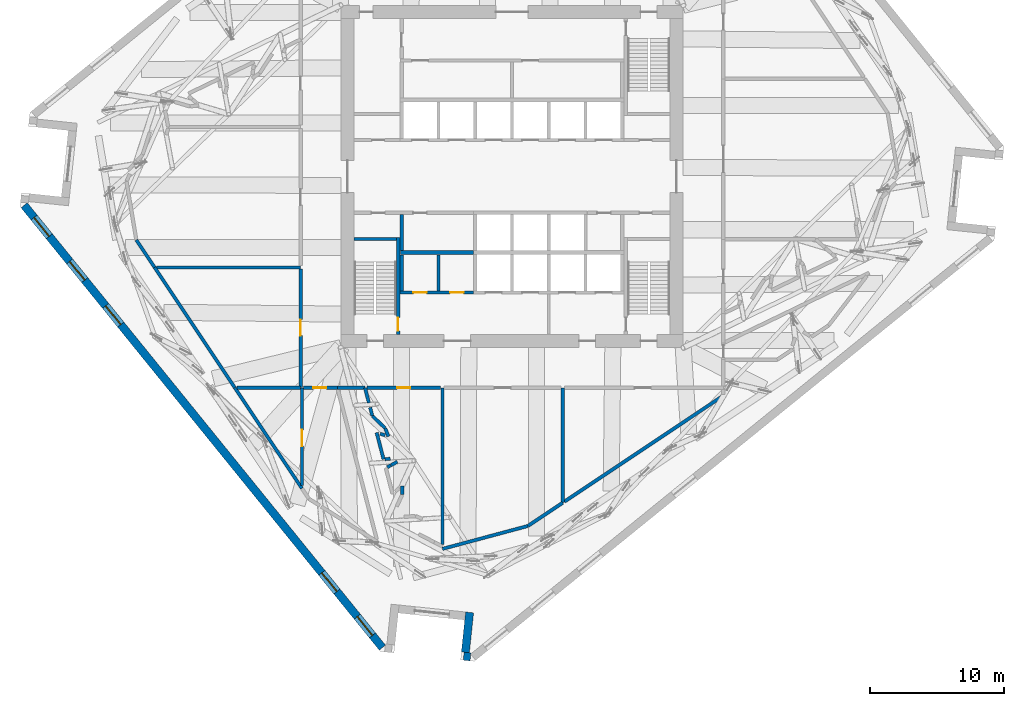
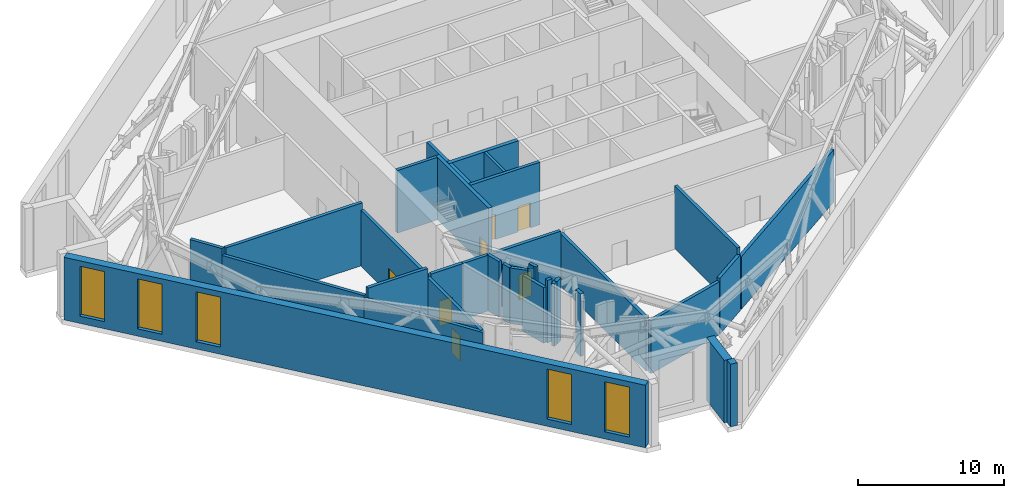
# One storey, part 7 of 17: 35 walls, 7 doors, 5 windows, 12 openings.
"""IFC4 building model written with IfcOpenShell, lengths in metres."""

import ifcopenshell
import ifcopenshell.guid

model = None  # the IFC model being written
_history = None  # IfcOwnerHistory: only IFC2X3 demands one
_inside = {}  # id of a spatial element -> (the spatial element, [elements in it])
_under = {}  # id of a project, library or spatial element -> (it, [spatial elements below it])
_declared = {}  # id of a project -> (the project, [libraries it declares])
_typed = {}  # id of a type object -> (the type object, [elements of that type])
_made_of = {}  # id of a material, layer set ... -> (it, [elements and type objects made of it])


def new_model(schema):
    """Start an empty IFC model of exactly this schema.

    Asked for "IFC4X3", IfcOpenShell would pick the latest addendum, in which some entities
    have other attributes; the version numbers below select the first issue.
    IFC2X3 requires an IfcOwnerHistory on every rooted entity: one is made here for all.
    """
    global model, _history
    if schema == "IFC4X3":
        model = ifcopenshell.file(schema_version=(4, 3, 0, 0))
    else:
        model = ifcopenshell.file(schema=schema)
    _inside.clear()
    _under.clear()
    _declared.clear()
    _typed.clear()
    _made_of.clear()
    _history = None
    if model.schema == "IFC2X3":
        org = make("IfcOrganization", Name="unknown")
        user = make(
            "IfcPersonAndOrganization",
            ThePerson=make("IfcPerson", FamilyName="unknown"),
            TheOrganization=org,
        )
        app = make(
            "IfcApplication",
            ApplicationDeveloper=org,
            Version="unknown",
            ApplicationFullName="unknown",
            ApplicationIdentifier="unknown",
        )
        _history = make(
            "IfcOwnerHistory",
            OwningUser=user,
            OwningApplication=app,
            ChangeAction="ADDED",
            CreationDate=0,
        )
    return model


def make(cls, **values):
    """One entity of the class cls with the attributes given. An attribute that is None is left unset."""
    return model.create_entity(
        cls, **{name: value for name, value in values.items() if value is not None}
    )


def rooted(cls, **values):
    """An entity with a GlobalId (a new one), such as an element, a storey or a relation."""
    return make(cls, GlobalId=ifcopenshell.guid.new(), OwnerHistory=_history, **values)


def si_unit(unit_type, name, prefix=None):
    """IfcSIUnit, for example si_unit("LENGTHUNIT", "METRE", prefix="MILLI")."""
    return make("IfcSIUnit", UnitType=unit_type, Prefix=prefix, Name=name)


def assignment(units):
    """IfcUnitAssignment: the units of a project."""
    return None if units is None else make("IfcUnitAssignment", Units=units)


def point(xyz):
    """IfcCartesianPoint."""
    return None if xyz is None else make("IfcCartesianPoint", Coordinates=xyz)


def direction(xyz):
    """IfcDirection."""
    return None if xyz is None else make("IfcDirection", DirectionRatios=xyz)


def frame(location, z_axis=None, x_axis=None):
    """IfcAxis2Placement3D, a coordinate frame: its origin and axes. An axis left out is left unset."""
    return make(
        "IfcAxis2Placement3D",
        Location=point(location),
        Axis=direction(z_axis),
        RefDirection=direction(x_axis),
    )


def frame_2d(location, x_axis=None):
    """IfcAxis2Placement2D, a coordinate frame in the plane: its origin and x axis."""
    return make(
        "IfcAxis2Placement2D", Location=point(location), RefDirection=direction(x_axis)
    )


def origin():
    """The frame at (0, 0, 0) with its axes left unset."""
    return frame((0.0, 0.0, 0.0))


def place(relative_to, where):
    """IfcLocalPlacement: puts the frame where relative to a parent placement (None: the world)."""
    return make(
        "IfcLocalPlacement", PlacementRelTo=relative_to, RelativePlacement=where
    )


def context(
    kind, dimensions, precision=None, world=None, true_north=None, identifier=None
):
    """IfcGeometricRepresentationContext, for example the 3D "Model" context."""
    return make(
        "IfcGeometricRepresentationContext",
        ContextIdentifier=identifier,
        ContextType=kind,
        CoordinateSpaceDimension=dimensions,
        Precision=precision,
        WorldCoordinateSystem=world,
        TrueNorth=true_north,
    )


def subcontext(parent, identifier, kind, view, scale=None):
    """IfcGeometricRepresentationSubContext, for example "Body" below "Model"."""
    return make(
        "IfcGeometricRepresentationSubContext",
        ContextIdentifier=identifier,
        ContextType=kind,
        ParentContext=parent,
        TargetScale=scale,
        TargetView=view,
    )


def project(units=None, contexts=None):
    """IfcProject with its units and contexts."""
    return rooted(
        "IfcProject",
        Name="project",
        RepresentationContexts=contexts,
        UnitsInContext=assignment(units),
    )


def spatial(cls, under=None, at=None, **own):
    """A site, building, storey or space (cls), placed at a placement, below another one or the project."""
    s = rooted(cls, ObjectPlacement=at, **own)
    if under is not None:
        _under.setdefault(under.id(), (under, []))[1].append(s)
    return s


def profile(cls, at=None, kind="AREA", **sizes):
    """A parametric profile (cls). Its sizes go by their IFC names, for example OverallWidth=200.0."""
    return make(cls, ProfileType=kind, Position=at, **sizes)


def rectangle(**sizes):
    """IfcRectangleProfileDef."""
    return profile("IfcRectangleProfileDef", **sizes)


def extrude(swept, where, along, depth):
    """IfcExtrudedAreaSolid: the profile swept, set in the frame where, extruded along a direction by depth."""
    return make(
        "IfcExtrudedAreaSolid",
        SweptArea=swept,
        Position=where,
        ExtrudedDirection=direction(along),
        Depth=depth,
    )


def shape(context_of_items, identifier, shape_type, items):
    """IfcShapeRepresentation: the items that make up one representation, for example the "Body"."""
    return make(
        "IfcShapeRepresentation",
        ContextOfItems=context_of_items,
        RepresentationIdentifier=identifier,
        RepresentationType=shape_type,
        Items=items,
    )


def material(Name=None, Category=None):
    """IfcMaterial."""
    return make("IfcMaterial", Name=Name, Category=Category)


def layer(
    of_material, thickness, ventilated=None, Name=None, Category=None, Priority=None
):
    """IfcMaterialLayer: one layer of a wall or slab, of a material (None: an air gap)."""
    return make(
        "IfcMaterialLayer",
        Material=of_material,
        LayerThickness=thickness,
        IsVentilated=ventilated,
        Name=Name,
        Category=Category,
        Priority=Priority,
    )


def layer_set(layers, Name=None):
    """IfcMaterialLayerSet."""
    return make("IfcMaterialLayerSet", MaterialLayers=layers, LayerSetName=Name)


def made_of(thing, what):
    """Note that an element or type object is made of a material, layer set ...; save() writes the relation."""
    if what is not None:
        _made_of.setdefault(what.id(), (what, []))[1].append(thing)
    return thing


def type_object(cls, material=None, **own):
    """A type object (cls), such as IfcWallType, which elements share."""
    return made_of(rooted(cls, **own), material)


def element(
    cls,
    number,
    at=None,
    inside=None,
    cuts=None,
    type_object=None,
    material=None,
    context=None,
    identifier="Body",
    shape_type=None,
    held_by="IfcProductDefinitionShape",
    body=None,
    shapes=None,
    **own,
):
    """One element of the class cls, such as IfcWall. Its Tag is "e" and its number.

    at: its placement. inside: the storey or other place that contains it. cuts: it is an
    opening in that element (IfcRelVoidsElement). A single representation is given by context,
    identifier, shape_type and body (its items); several are given by shapes. held_by: the class
    of the entity that holds the representations. save() writes the other relations.
    """
    e = rooted(cls, Tag="e%d" % number, ObjectPlacement=at, **own)
    if body is not None:
        shapes = [shape(context, identifier, shape_type, body)]
    if shapes is not None:
        e.Representation = make(held_by, Representations=shapes)
    if inside is not None:
        _inside.setdefault(inside.id(), (inside, []))[1].append(e)
    if cuts is not None:
        rooted(
            "IfcRelVoidsElement", RelatingBuildingElement=cuts, RelatedOpeningElement=e
        )
    if type_object is not None:
        _typed.setdefault(type_object.id(), (type_object, []))[1].append(e)
    return made_of(e, material)


def fill(opening, filler):
    """IfcRelFillsElement: the door or window that sits in an opening."""
    return rooted(
        "IfcRelFillsElement",
        RelatingOpeningElement=opening,
        RelatedBuildingElement=filler,
    )


def aggregate(whole, parts):
    """IfcRelAggregates: a whole, such as a stair, and the parts it consists of."""
    return rooted("IfcRelAggregates", RelatingObject=whole, RelatedObjects=parts)


def save(model, path):
    """Write the relations noted so far, then the file.

    IfcRelAggregates (storeys below a building ...), IfcRelContainedInSpatialStructure (elements
    in a storey), IfcRelDefinesByType, IfcRelAssociatesMaterial and IfcRelDeclares: one each for
    every whole, place, type object, material and project.
    """
    for whole, parts in _under.values():
        aggregate(whole, parts)
    for where, things in _inside.values():
        rooted(
            "IfcRelContainedInSpatialStructure",
            RelatedElements=things,
            RelatingStructure=where,
        )
    for kind, things in _typed.values():
        rooted("IfcRelDefinesByType", RelatedObjects=things, RelatingType=kind)
    for what, things in _made_of.values():
        rooted("IfcRelAssociatesMaterial", RelatedObjects=things, RelatingMaterial=what)
    for by, libraries in _declared.values():
        rooted("IfcRelDeclares", RelatingContext=by, RelatedDefinitions=libraries)
    model.write(path)


model = new_model("IFC4")

# Units and contexts
model_context = context("Model", 3, precision=1e-05, world=origin(), true_north=direction((0.0, 1.0)))
body_context = subcontext(model_context, "Body", "Model", "MODEL_VIEW")
ifc_project = project(units=[si_unit("LENGTHUNIT", "METRE"), si_unit("AREAUNIT", "SQUARE_METRE"), si_unit("VOLUMEUNIT", "CUBIC_METRE"), si_unit("PLANEANGLEUNIT", "RADIAN"), si_unit("MASSUNIT", "GRAM", prefix="KILO")], contexts=[model_context])

# Site, building, storey
site_placement = place(None, origin())
site = spatial("IfcSite", under=ifc_project, at=site_placement, CompositionType="ELEMENT")
building_placement = place(site_placement, origin())
building = spatial("IfcBuilding", under=site, at=building_placement, Name="Dilmun Exchange Tower", CompositionType="ELEMENT")
storey_placement = place(building_placement, frame((0.0, 0.0, 183.699951171875)))
storey = spatial("IfcBuildingStorey", under=building, at=storey_placement, Name="L43", CompositionType="ELEMENT", Elevation=183.699951171875)

# Wall
ifc_material_1 = material(Name="Concrete C40/50", Category="concrete")
ifc_layer_1 = layer(ifc_material_1, 0.199951171875)
ifc_layer_set_1 = layer_set([ifc_layer_1], Name="Concrete C40/50")
wall_type_1 = type_object("IfcWallType", Name="Core partition wall 200", PredefinedType="PARTITIONING", material=ifc_layer_set_1)
wall_1_placement = place(storey_placement, frame((-5.5, -8.544921875, 0.0), z_axis=(0.0, 0.0, 1.0), x_axis=(0.0, 1.0, 0.0)))
element("IfcWall", 1, at=wall_1_placement, inside=storey, type_object=wall_type_1, Name="L43 core partition wall 04", PredefinedType="PARTITIONING", context=body_context, shape_type="SweptSolid", body=[
    extrude(rectangle(XDim=2.68994140625, YDim=0.199951171875, at=frame_2d((1.344970703125, 0.0))), origin(), (0.0, 0.0, 1.0), 5.219970703125),
])

# Wall, openings, doors
ifc_layer_2 = layer(ifc_material_1, 0.25)
ifc_layer_set_2 = layer_set([ifc_layer_2], Name="Concrete C40/50")
wall_type_2 = type_object("IfcWallType", Name="Core partition wall 250", PredefinedType="PARTITIONING", material=ifc_layer_set_2)
wall_2_placement = place(storey_placement, frame((-8.3701171875, -8.675048828125, 0.0), z_axis=(0.0, 0.0, 1.0), x_axis=(1.0, 0.0, 0.0)))
wall_2 = element("IfcWall", 2, at=wall_2_placement, inside=storey, type_object=wall_type_2, Name="L43 core partition wall 02", PredefinedType="PARTITIONING", context=body_context, shape_type="SweptSolid", body=[
    extrude(rectangle(XDim=5.490234375, YDim=0.25, at=frame_2d((2.7451171875, 0.0))), origin(), (0.0, 0.0, 1.0), 5.219970703125),
])
opening_1_placement = place(wall_2_placement, frame((0.9951171875, 0.0, 0.0)))
opening_1 = element("IfcOpeningElement", 3, at=opening_1_placement, cuts=wall_2, Name="Opening CD4", PredefinedType="OPENING", context=body_context, shape_type="SweptSolid", body=[
    extrude(rectangle(XDim=1.0, YDim=2.10009765625, at=frame_2d((0.5, 1.050048828125))), frame((0.0, 0.135009765625, 0.0), z_axis=(0.0, -1.0, 0.0), x_axis=(1.0, 0.0, 0.0)), (0.0, 0.0, 1.0), 0.27001953125),
])
opening_2_placement = place(wall_2_placement, frame((3.7451171875, 0.0, 0.0)))
opening_2 = element("IfcOpeningElement", 4, at=opening_2_placement, cuts=wall_2, Name="Opening CD4", PredefinedType="OPENING", context=body_context, shape_type="SweptSolid", body=[
    extrude(rectangle(XDim=1.0, YDim=2.10009765625, at=frame_2d((0.5, 1.050048828125))), frame((0.0, 0.135009765625, 0.0), z_axis=(0.0, -1.0, 0.0), x_axis=(1.0, 0.0, 0.0)), (0.0, 0.0, 1.0), 0.27001953125),
])
ifc_material_2 = material(Name="Fire-rated steel door set", Category="steel")
door_type_1 = type_object("IfcDoorType", Name="Core room door 1000x2100", OperationType="SINGLE_SWING_LEFT", PredefinedType="DOOR", material=ifc_material_2)
door_1_placement = place(opening_1_placement, origin())
door_1 = element("IfcDoor", 5, at=door_1_placement, inside=storey, type_object=door_type_1, Name="L43 door Male WC", OperationType="SINGLE_SWING_RIGHT", OverallHeight=2.10009765625, OverallWidth=1.0, PredefinedType="DOOR", context=body_context, shape_type="SweptSolid", body=[
    extrude(rectangle(XDim=1.0, YDim=2.10009765625, at=frame_2d((0.5, 1.050048828125))), frame((0.0, 0.02490234375, 0.0), z_axis=(0.0, -1.0, 0.0), x_axis=(1.0, 0.0, 0.0)), (0.0, 0.0, 1.0), 0.050048828125),
])
fill(opening_1, door_1)
door_2_placement = place(opening_2_placement, origin())
door_2 = element("IfcDoor", 6, at=door_2_placement, inside=storey, type_object=door_type_1, Name="L43 door Female WC", OperationType="SINGLE_SWING_RIGHT", OverallHeight=2.10009765625, OverallWidth=1.0, PredefinedType="DOOR", context=body_context, shape_type="SweptSolid", body=[
    extrude(rectangle(XDim=1.0, YDim=2.10009765625, at=frame_2d((0.5, 1.050048828125))), frame((0.0, 0.02490234375, 0.0), z_axis=(0.0, -1.0, 0.0), x_axis=(1.0, 0.0, 0.0)), (0.0, 0.0, 1.0), 0.050048828125),
])
fill(opening_2, door_2)

# Walls
for number, where, z_axis, x_axis, name in (
    (7, (-8.25, -8.544921875, 0.0), (0.0, 0.0, 1.0), (0.0, 1.0, 0.0), "L43 core partition wall 03"),
    (8, (-8.25, -5.544921875, 0.0), (0.0, 0.0, 1.0), (0.0, 1.0, 0.0), "L43 core partition wall 06"),
):
    element("IfcWall", number, at=place(storey_placement, frame(where, z_axis=z_axis, x_axis=x_axis)), inside=storey, type_object=wall_type_2, Name=name, PredefinedType="PARTITIONING", context=body_context, shape_type="SweptSolid", body=[
        extrude(rectangle(XDim=2.68994140625, YDim=0.25, at=frame_2d((1.344970703125, 0.0))), origin(), (0.0, 0.0, 1.0), 5.219970703125),
    ])
ifc_layer_3 = layer(ifc_material_1, 0.300048828125)
ifc_layer_set_3 = layer_set([ifc_layer_3], Name="Concrete C40/50")
wall_type_3 = type_object("IfcWallType", Name="Core partition wall 300", PredefinedType="PARTITIONING", material=ifc_layer_set_3)
wall_3_placement = place(storey_placement, frame((-8.35009765625, -5.699951171875, 0.0), z_axis=(0.0, 0.0, 1.0), x_axis=(1.0, 0.0, 0.0)))
element("IfcWall", 9, at=wall_3_placement, inside=storey, type_object=wall_type_3, Name="L43 core partition wall 05", PredefinedType="PARTITIONING", context=body_context, shape_type="SweptSolid", body=[
    extrude(rectangle(XDim=5.47021484375, YDim=0.300048828125, at=frame_2d((2.735107421875, 0.0))), origin(), (0.0, 0.0, 1.0), 5.219970703125),
])
ifc_material_3 = material(Name="Concrete C32/40", Category="concrete")
ifc_layer_4 = layer(ifc_material_3, 0.25)
ifc_layer_set_4 = layer_set([ifc_layer_4], Name="Concrete C32/40")
wall_type_4 = type_object("IfcWallType", Name="Plant room wall 250", PredefinedType="PARTITIONING", material=ifc_layer_set_4)
wall_4_placement = place(storey_placement, frame((-5.199951171875, -27.51708984375, 0.0), z_axis=(0.0, 0.0, 1.0), x_axis=(0.0, 1.0, 0.0)))
element("IfcWall", 10, at=wall_4_placement, inside=storey, type_object=wall_type_4, Name="L43 plant room wall 02", PredefinedType="PARTITIONING", context=body_context, shape_type="SweptSolid", body=[
    extrude(rectangle(XDim=11.717041015625, YDim=0.25, at=frame_2d((5.8583984375, 0.0))), origin(), (0.0, 0.0, 1.0), 4.400146484375),
])
wall_5_placement = place(storey_placement, frame((-5.199951171875, -27.8427734375, 0.0), z_axis=(0.0, 0.0, 1.0), x_axis=(0.965846215472, 0.259115974148, 0.0)))
element("IfcWall", 11, at=wall_5_placement, inside=storey, type_object=wall_type_4, Name="L43 plant room wall 05", PredefinedType="PARTITIONING", context=body_context, shape_type="SweptSolid", body=[
    extrude(rectangle(XDim=6.6171875, YDim=0.25, at=frame_2d((3.30859375, 0.0))), origin(), (0.0, 0.0, 1.0), 4.400146484375),
])
wall_6_placement = place(storey_placement, frame((1.195556640625, -26.125244140625, 0.0), z_axis=(0.0, 0.0, 1.0), x_axis=(0.832014296467, 0.554754189236, 0.0)))
element("IfcWall", 12, at=wall_6_placement, inside=storey, type_object=wall_type_4, Name="L43 plant room wall 10", PredefinedType="PARTITIONING", context=body_context, shape_type="SweptSolid", body=[
    extrude(rectangle(XDim=3.13037109375, YDim=0.25, at=frame_2d((1.565185546875, 0.0))), origin(), (0.0, 0.0, 1.0), 4.650146484375),
])
wall_7_placement = place(storey_placement, frame((3.800048828125, -24.379638671875, 0.0), z_axis=(0.0, 0.0, 1.0), x_axis=(0.0, 1.0, 0.0)))
element("IfcWall", 13, at=wall_7_placement, inside=storey, type_object=wall_type_4, Name="L43 plant room wall 11", PredefinedType="PARTITIONING", context=body_context, shape_type="SweptSolid", body=[
    extrude(rectangle(XDim=8.57958984375, YDim=0.25, at=frame_2d((4.289794921875, 0.0))), origin(), (0.0, 0.0, 1.0), 5.219970703125),
])
wall_8_placement = place(storey_placement, frame((-8.21435546875, -23.133056640625, 0.0), z_axis=(0.0, 0.0, 1.0), x_axis=(0.005707669584, -0.999983711121, 0.0)))
element("IfcWall", 14, at=wall_8_placement, inside=storey, type_object=wall_type_4, Name="L43 plant room wall 13", PredefinedType="PARTITIONING", context=body_context, shape_type="SweptSolid", body=[
    extrude(rectangle(XDim=0.6416015625, YDim=0.25, at=frame_2d((0.32080078125, 0.0))), origin(), (0.0, 0.0, 1.0), 5.219970703125),
])
wall_9_placement = place(storey_placement, frame((-20.71484375, -15.800048828125, 0.0), z_axis=(0.0, 0.0, 1.0), x_axis=(0.554718903093, -0.832037822789, 0.0)))
element("IfcWall", 15, at=wall_9_placement, inside=storey, type_object=wall_type_4, Name="L43 plant room wall 15", PredefinedType="PARTITIONING", context=body_context, shape_type="SweptSolid", body=[
    extrude(rectangle(XDim=9.03515625, YDim=0.25, at=frame_2d((4.517578125, 0.0))), origin(), (0.0, 0.0, 1.0), 4.385986328125),
])

# Wall, opening, door
wall_10_placement = place(storey_placement, frame((-15.699951171875, -23.08740234375, 0.0), z_axis=(0.0, 0.0, 1.0), x_axis=(0.0, 1.0, 0.0)))
wall_10 = element("IfcWall", 16, at=wall_10_placement, inside=storey, type_object=wall_type_4, Name="L43 plant room wall 16", PredefinedType="PARTITIONING", context=body_context, shape_type="SweptSolid", body=[
    extrude(rectangle(XDim=7.287353515625, YDim=0.25, at=frame_2d((3.6435546875, 0.0))), origin(), (0.0, 0.0, 1.0), 4.385986328125),
])
opening_3_placement = place(wall_10_placement, frame((2.936279296875, 0.0, 0.0)))
opening_3 = element("IfcOpeningElement", 17, at=opening_3_placement, cuts=wall_10, Name="Opening PD2", PredefinedType="OPENING", context=body_context, shape_type="SweptSolid", body=[
    extrude(rectangle(XDim=1.199951171875, YDim=2.10009765625, at=frame_2d((0.60009765625, 1.050048828125))), frame((0.0, 0.135009765625, 0.0), z_axis=(0.0, -1.0, 0.0), x_axis=(1.0, 0.0, 0.0)), (0.0, 0.0, 1.0), 0.27001953125),
])
door_type_2 = type_object("IfcDoorType", Name="Plant room door 1200x2100", OperationType="SINGLE_SWING_LEFT", PredefinedType="DOOR", material=ifc_material_2)
door_3_placement = place(opening_3_placement, origin())
door_3 = element("IfcDoor", 18, at=door_3_placement, inside=storey, type_object=door_type_2, Name="L43 door Plant BMS control room", OperationType="SINGLE_SWING_RIGHT", OverallHeight=2.10009765625, OverallWidth=1.199951171875, PredefinedType="DOOR", context=body_context, shape_type="SweptSolid", body=[
    extrude(rectangle(XDim=1.199951171875, YDim=2.10009765625, at=frame_2d((0.60009765625, 1.050048828125))), frame((0.0, 0.02490234375, 0.0), z_axis=(0.0, -1.0, 0.0), x_axis=(1.0, 0.0, 0.0)), (0.0, 0.0, 1.0), 0.050048828125),
])
fill(opening_3, door_3)

# Walls
wall_11_placement = place(storey_placement, frame((-9.3251953125, -21.735595703125, 0.0), z_axis=(0.0, 0.0, 1.0), x_axis=(0.879236170046, 0.476386143043, 0.0)))
element("IfcWall", 19, at=wall_11_placement, inside=storey, type_object=wall_type_4, Name="L43 plant room wall 18", PredefinedType="PARTITIONING", context=body_context, shape_type="SweptSolid", body=[
    extrude(rectangle(XDim=0.305419921875, YDim=0.25, at=frame_2d((0.15283203125, 0.0))), origin(), (0.0, 0.0, 1.0), 5.219970703125),
])
wall_12_placement = place(storey_placement, frame((-9.04345703125, -21.5830078125, 0.0), z_axis=(0.0, 0.0, 1.0), x_axis=(0.879315462802, 0.476239768266, 0.0)))
element("IfcWall", 20, at=wall_12_placement, inside=storey, type_object=wall_type_4, Name="L43 plant room wall 19", PredefinedType="PARTITIONING", context=body_context, shape_type="SweptSolid", body=[
    extrude(rectangle(XDim=0.5439453125, YDim=0.25, at=frame_2d((0.27197265625, 0.0))), origin(), (0.0, 0.0, 1.0), 5.219970703125),
])
wall_13_placement = place(storey_placement, frame((-10.118896484375, -19.14599609375, 0.0), z_axis=(0.0, 0.0, 1.0), x_axis=(0.251344969504, -0.967897570151, 0.0)))
element("IfcWall", 21, at=wall_13_placement, inside=storey, type_object=wall_type_4, Name="L43 plant room wall 20", PredefinedType="PARTITIONING", context=body_context, shape_type="SweptSolid", body=[
    extrude(rectangle(XDim=2.058349609375, YDim=0.25, at=frame_2d((1.029296875, 0.0))), origin(), (0.0, 0.0, 1.0), 4.650146484375),
])
wall_14_placement = place(storey_placement, frame((-9.48583984375, -21.131103515625, 0.0), z_axis=(0.0, 0.0, 1.0), x_axis=(0.998192723344, 0.060093985246, 0.0)))
element("IfcWall", 22, at=wall_14_placement, inside=storey, type_object=wall_type_4, Name="L43 plant room wall 21", PredefinedType="PARTITIONING", context=body_context, shape_type="SweptSolid", body=[
    extrude(rectangle(XDim=0.385986328125, YDim=0.25, at=frame_2d((0.19287109375, 0.0))), origin(), (0.0, 0.0, 1.0), 5.219970703125),
])
wall_15_placement = place(storey_placement, frame((-9.47314453125, -18.835205078125, 0.0), z_axis=(0.0, 0.0, 1.0), x_axis=(0.362776899289, -0.931876022517, 0.0)))
element("IfcWall", 23, at=wall_15_placement, inside=storey, type_object=wall_type_4, Name="L43 plant room wall 22", PredefinedType="PARTITIONING", context=body_context, shape_type="SweptSolid", body=[
    extrude(rectangle(XDim=0.641357421875, YDim=0.25, at=frame_2d((0.32080078125, 0.0))), origin(), (0.0, 0.0, 1.0), 5.219970703125),
])
wall_16_placement = place(storey_placement, frame((-9.85595703125, -19.235107421875, 0.0), z_axis=(0.0, 0.0, 1.0), x_axis=(0.947065879416, -0.321039281158, 0.0)))
element("IfcWall", 24, at=wall_16_placement, inside=storey, type_object=wall_type_4, Name="L43 plant room wall 23", PredefinedType="PARTITIONING", context=body_context, shape_type="SweptSolid", body=[
    extrude(rectangle(XDim=0.3955078125, YDim=0.25, at=frame_2d((0.19775390625, 0.0))), origin(), (0.0, 0.0, 1.0), 5.219970703125),
])
wall_17_placement = place(storey_placement, frame((-10.442626953125, -17.899169921875, 0.0), z_axis=(0.0, 0.0, 1.0), x_axis=(0.72266597754, -0.691197428313, 0.0)))
element("IfcWall", 25, at=wall_17_placement, inside=storey, type_object=wall_type_4, Name="L43 plant room wall 24", PredefinedType="PARTITIONING", context=body_context, shape_type="SweptSolid", body=[
    extrude(rectangle(XDim=1.31884765625, YDim=0.25, at=frame_2d((0.659423828125, 0.0))), origin(), (0.0, 0.0, 1.0), 4.650146484375),
])
wall_18_placement = place(storey_placement, frame((-10.605712890625, -17.27099609375, 0.0), z_axis=(0.0, 0.0, 1.0), x_axis=(0.251370646192, -0.96789090203, 0.0)))
element("IfcWall", 26, at=wall_18_placement, inside=storey, type_object=wall_type_4, Name="L43 plant room wall 25", PredefinedType="PARTITIONING", context=body_context, shape_type="SweptSolid", body=[
    extrude(rectangle(XDim=0.64306640625, YDim=0.25, at=frame_2d((0.321533203125, 0.0))), origin(), (0.0, 0.0, 1.0), 4.650146484375),
])
wall_19_placement = place(storey_placement, frame((-10.98779296875, -15.800048828125, 0.0), z_axis=(0.0, 0.0, 1.0), x_axis=(0.251436762122, -0.967873728672, 0.0)))
element("IfcWall", 27, at=wall_19_placement, inside=storey, type_object=wall_type_4, Name="L43 plant room wall 26", PredefinedType="PARTITIONING", context=body_context, shape_type="SweptSolid", body=[
    extrude(rectangle(XDim=1.160400390625, YDim=0.25, at=frame_2d((0.580078125, 0.0))), origin(), (0.0, 0.0, 1.0), 4.650146484375),
])
wall_20_placement = place(storey_placement, frame((3.929931640625, -24.302001953125, 0.0), z_axis=(0.0, 0.0, 1.0), x_axis=(0.832021333185, 0.554743635497, 0.0)))
element("IfcWall", 28, at=wall_20_placement, inside=storey, type_object=wall_type_4, Name="L43 plant room wall 27", PredefinedType="PARTITIONING", context=body_context, shape_type="SweptSolid", body=[
    extrude(rectangle(XDim=14.2666015625, YDim=0.25, at=frame_2d((7.13330078125, 0.0))), origin(), (0.0, 0.0, 1.0), 4.385986328125),
])
wall_21_placement = place(storey_placement, frame((-26.715087890625, -6.800048828125, 0.0), z_axis=(0.0, 0.0, 1.0), x_axis=(0.554721039908, -0.832036398172, 0.0)))
element("IfcWall", 29, at=wall_21_placement, inside=storey, type_object=wall_type_4, Name="L43 plant room wall 28", PredefinedType="PARTITIONING", context=body_context, shape_type="SweptSolid", body=[
    extrude(rectangle(XDim=10.811767578125, YDim=0.25, at=frame_2d((5.40576171875, 0.0))), origin(), (0.0, 0.0, 1.0), 4.650146484375),
])
wall_22_placement = place(storey_placement, frame((-20.55859375, -15.800048828125, 0.0), z_axis=(0.0, 0.0, 1.0), x_axis=(1.0, 0.0, 0.0)))
element("IfcWall", 30, at=wall_22_placement, inside=storey, type_object=wall_type_4, Name="L43 plant room wall 29", PredefinedType="PARTITIONING", context=body_context, shape_type="SweptSolid", body=[
    extrude(rectangle(XDim=4.728515625, YDim=0.25, at=frame_2d((2.3642578125, 0.0))), origin(), (0.0, 0.0, 1.0), 5.219970703125),
])

# Wall, opening, door
wall_23_placement = place(storey_placement, frame((-15.570068359375, -15.800048828125, 0.0), z_axis=(0.0, 0.0, 1.0), x_axis=(1.0, 0.0, 0.0)))
wall_23 = element("IfcWall", 31, at=wall_23_placement, inside=storey, type_object=wall_type_4, Name="L43 plant room wall 30", PredefinedType="PARTITIONING", context=body_context, shape_type="SweptSolid", body=[
    extrude(rectangle(XDim=2.515869140625, YDim=0.25, at=frame_2d((1.2578125, 0.0))), origin(), (0.0, 0.0, 1.0), 4.650146484375),
])
opening_4_placement = place(wall_23_placement, frame((0.693359375, 0.0, 0.0)))
opening_4 = element("IfcOpeningElement", 32, at=opening_4_placement, cuts=wall_23, Name="Opening PD1", PredefinedType="OPENING", context=body_context, shape_type="SweptSolid", body=[
    extrude(rectangle(XDim=1.0, YDim=2.10009765625, at=frame_2d((0.5, 1.050048828125))), frame((0.0, 0.135009765625, 0.0), z_axis=(0.0, -1.0, 0.0), x_axis=(1.0, 0.0, 0.0)), (0.0, 0.0, 1.0), 0.27001953125),
])
door_type_3 = type_object("IfcDoorType", Name="Plant room door 1000x2100", OperationType="SINGLE_SWING_LEFT", PredefinedType="DOOR", material=ifc_material_2)
door_4_placement = place(opening_4_placement, origin())
door_4 = element("IfcDoor", 33, at=door_4_placement, inside=storey, type_object=door_type_3, Name="L43 door Electrical plant room", OperationType="SINGLE_SWING_RIGHT", OverallHeight=2.10009765625, OverallWidth=1.0, PredefinedType="DOOR", context=body_context, shape_type="SweptSolid", body=[
    extrude(rectangle(XDim=1.0, YDim=2.10009765625, at=frame_2d((0.5, 1.050048828125))), frame((0.0, 0.02490234375, 0.0), z_axis=(0.0, -1.0, 0.0), x_axis=(1.0, 0.0, 0.0)), (0.0, 0.0, 1.0), 0.050048828125),
])
fill(opening_4, door_4)

# Wall
wall_24_placement = place(storey_placement, frame((-13.049072265625, -15.800048828125, 0.0), z_axis=(0.0, 0.0, 1.0), x_axis=(1.0, 0.0, 0.0)))
element("IfcWall", 34, at=wall_24_placement, inside=storey, type_object=wall_type_4, Name="L43 plant room wall 31", PredefinedType="PARTITIONING", context=body_context, shape_type="SweptSolid", body=[
    extrude(rectangle(XDim=2.041259765625, YDim=0.25, at=frame_2d((1.0205078125, 0.0))), origin(), (0.0, 0.0, 1.0), 4.650146484375),
])

# Wall, opening, door
wall_25_placement = place(storey_placement, frame((-10.853515625, -15.800048828125, 0.0), z_axis=(0.0, 0.0, 1.0), x_axis=(1.0, 0.0, 0.0)))
wall_25 = element("IfcWall", 35, at=wall_25_placement, inside=storey, type_object=wall_type_4, Name="L43 plant room wall 33", PredefinedType="PARTITIONING", context=body_context, shape_type="SweptSolid", body=[
    extrude(rectangle(XDim=5.5234375, YDim=0.25, at=frame_2d((2.76171875, 0.0))), origin(), (0.0, 0.0, 1.0), 4.650146484375),
])
opening_5_placement = place(wall_25_placement, frame((2.259521484375, 0.0, 0.0)))
opening_5 = element("IfcOpeningElement", 36, at=opening_5_placement, cuts=wall_25, Name="Opening PD1", PredefinedType="OPENING", context=body_context, shape_type="SweptSolid", body=[
    extrude(rectangle(XDim=1.0, YDim=2.10009765625, at=frame_2d((0.5, 1.050048828125))), frame((0.0, 0.135009765625, 0.0), z_axis=(0.0, -1.0, 0.0), x_axis=(1.0, 0.0, 0.0)), (0.0, 0.0, 1.0), 0.27001953125),
])
door_5_placement = place(opening_5_placement, origin())
door_5 = element("IfcDoor", 37, at=door_5_placement, inside=storey, type_object=door_type_3, Name="L43 door Battery plant room", OperationType="SINGLE_SWING_LEFT", OverallHeight=2.10009765625, OverallWidth=1.0, PredefinedType="DOOR", context=body_context, shape_type="SweptSolid", body=[
    extrude(rectangle(XDim=1.0, YDim=2.10009765625, at=frame_2d((0.5, 1.050048828125))), frame((0.0, 0.02490234375, 0.0), z_axis=(0.0, -1.0, 0.0), x_axis=(1.0, 0.0, 0.0)), (0.0, 0.0, 1.0), 0.050048828125),
])
fill(opening_5, door_5)

# Walls
wall_26_placement = place(storey_placement, frame((-28.084228515625, -4.746337890625, 0.0), z_axis=(0.0, 0.0, 1.0), x_axis=(0.554654449432, -0.832080790383, 0.0)))
element("IfcWall", 38, at=wall_26_placement, inside=storey, type_object=wall_type_4, Name="L43 plant room wall 56", PredefinedType="PARTITIONING", context=body_context, shape_type="SweptSolid", body=[
    extrude(rectangle(XDim=2.463134765625, YDim=0.25, at=frame_2d((1.2314453125, 0.0))), origin(), (0.0, 0.0, 1.0), 5.219970703125),
])
wall_27_placement = place(storey_placement, frame((-26.558837890625, -6.800048828125, 0.0), z_axis=(0.0, 0.0, 1.0), x_axis=(1.0, 0.0, 0.0)))
element("IfcWall", 39, at=wall_27_placement, inside=storey, type_object=wall_type_4, Name="L43 plant room wall 57", PredefinedType="PARTITIONING", context=body_context, shape_type="SweptSolid", body=[
    extrude(rectangle(XDim=10.7587890625, YDim=0.25, at=frame_2d((5.37939453125, 0.0))), origin(), (0.0, 0.0, 1.0), 5.219970703125),
])

# Wall, opening, door
wall_28_placement = place(storey_placement, frame((-15.800048828125, -15.794921875, 0.0), z_axis=(0.0, 0.0, 1.0), x_axis=(0.0, 1.0, 0.0)))
wall_28 = element("IfcWall", 40, at=wall_28_placement, inside=storey, type_object=wall_type_4, Name="L43 plant room wall 58", PredefinedType="PARTITIONING", context=body_context, shape_type="SweptSolid", body=[
    extrude(rectangle(XDim=8.864990234375, YDim=0.25, at=frame_2d((4.4326171875, 0.0))), origin(), (0.0, 0.0, 1.0), 4.650146484375),
])
opening_6_placement = place(wall_28_placement, frame((3.89501953125, 0.0, 0.0)))
opening_6 = element("IfcOpeningElement", 41, at=opening_6_placement, cuts=wall_28, Name="Opening PD2", PredefinedType="OPENING", context=body_context, shape_type="SweptSolid", body=[
    extrude(rectangle(XDim=1.199951171875, YDim=2.10009765625, at=frame_2d((0.60009765625, 1.050048828125))), frame((0.0, 0.135009765625, 0.0), z_axis=(0.0, -1.0, 0.0), x_axis=(1.0, 0.0, 0.0)), (0.0, 0.0, 1.0), 0.27001953125),
])
door_6_placement = place(opening_6_placement, origin())
door_6 = element("IfcDoor", 42, at=door_6_placement, inside=storey, type_object=door_type_2, Name="L43 door Refuge area", OperationType="SINGLE_SWING_LEFT", OverallHeight=2.10009765625, OverallWidth=1.199951171875, PredefinedType="DOOR", context=body_context, shape_type="SweptSolid", body=[
    extrude(rectangle(XDim=1.199951171875, YDim=2.10009765625, at=frame_2d((0.60009765625, 1.050048828125))), frame((0.0, 0.02490234375, 0.0), z_axis=(0.0, -1.0, 0.0), x_axis=(1.0, 0.0, 0.0)), (0.0, 0.0, 1.0), 0.050048828125),
])
fill(opening_6, door_6)

# Wall, openings, windows
ifc_material_4 = material(Name="Precast concrete C50/60", Category="concrete")
ifc_layer_5 = layer(ifc_material_4, 0.60009765625)
ifc_layer_set_5 = layer_set([ifc_layer_5], Name="Precast concrete C50/60")
wall_type_5 = type_object("IfcWallType", Name="Precast stone-clad wall 600", PredefinedType="STANDARD", material=ifc_layer_set_5)
wall_29_placement = place(storey_placement, frame((-36.470458984375, -2.156494140625, 0.0), z_axis=(0.0, 0.0, 1.0), x_axis=(0.629322340193, -0.777144383068, 0.0)))
wall_29 = element("IfcWall", 43, at=wall_29_placement, inside=storey, type_object=wall_type_5, Name="Facade wall L43-09", PredefinedType="STANDARD", context=body_context, shape_type="SweptSolid", body=[
    extrude(rectangle(XDim=42.551513671875, YDim=0.60009765625, at=frame_2d((21.27587890625, 0.0))), origin(), (0.0, 0.0, 1.0), 5.219970703125),
])
opening_7_placement = place(wall_29_placement, frame((1.177978515625, 0.0, 0.60009765625)))
opening_7 = element("IfcOpeningElement", 44, at=opening_7_placement, cuts=wall_29, Name="Opening LV180-417", PredefinedType="OPENING", context=body_context, shape_type="SweptSolid", body=[
    extrude(rectangle(XDim=1.800048828125, YDim=4.169921875, at=frame_2d((0.89990234375, 2.0849609375))), frame((0.0, 0.31005859375, 0.0), z_axis=(0.0, -1.0, 0.0), x_axis=(1.0, 0.0, 0.0)), (0.0, 0.0, 1.0), 0.6201171875),
])
opening_8_placement = place(wall_29_placement, frame((5.395751953125, 0.0, 0.60009765625)))
opening_8 = element("IfcOpeningElement", 45, at=opening_8_placement, cuts=wall_29, Name="Opening LV180-417", PredefinedType="OPENING", context=body_context, shape_type="SweptSolid", body=[
    extrude(rectangle(XDim=1.800048828125, YDim=4.169921875, at=frame_2d((0.89990234375, 2.0849609375))), frame((0.0, 0.31005859375, 0.0), z_axis=(0.0, -1.0, 0.0), x_axis=(1.0, 0.0, 0.0)), (0.0, 0.0, 1.0), 0.6201171875),
])
opening_9_placement = place(wall_29_placement, frame((9.67578125, 0.0, 0.60009765625)))
opening_9 = element("IfcOpeningElement", 46, at=opening_9_placement, cuts=wall_29, Name="Opening LV180-417", PredefinedType="OPENING", context=body_context, shape_type="SweptSolid", body=[
    extrude(rectangle(XDim=1.800048828125, YDim=4.169921875, at=frame_2d((0.89990234375, 2.0849609375))), frame((0.0, 0.31005859375, 0.0), z_axis=(0.0, -1.0, 0.0), x_axis=(1.0, 0.0, 0.0)), (0.0, 0.0, 1.0), 0.6201171875),
])
opening_10_placement = place(wall_29_placement, frame((35.355712890625, 0.0, 0.60009765625)))
opening_10 = element("IfcOpeningElement", 47, at=opening_10_placement, cuts=wall_29, Name="Opening LV180-417", PredefinedType="OPENING", context=body_context, shape_type="SweptSolid", body=[
    extrude(rectangle(XDim=1.800048828125, YDim=4.169921875, at=frame_2d((0.89990234375, 2.0849609375))), frame((0.0, 0.31005859375, 0.0), z_axis=(0.0, -1.0, 0.0), x_axis=(1.0, 0.0, 0.0)), (0.0, 0.0, 1.0), 0.6201171875),
])
opening_11_placement = place(wall_29_placement, frame((39.573486328125, 0.0, 0.60009765625)))
opening_11 = element("IfcOpeningElement", 48, at=opening_11_placement, cuts=wall_29, Name="Opening LV180-417", PredefinedType="OPENING", context=body_context, shape_type="SweptSolid", body=[
    extrude(rectangle(XDim=1.800048828125, YDim=4.169921875, at=frame_2d((0.89990234375, 2.0849609375))), frame((0.0, 0.31005859375, 0.0), z_axis=(0.0, -1.0, 0.0), x_axis=(1.0, 0.0, 0.0)), (0.0, 0.0, 1.0), 0.6201171875),
])
ifc_material_5 = material(Name="Anodised aluminium louvre blades with sand trap", Category="aluminium")
window_type = type_object("IfcWindowType", Name="Plant louvre 1800 x 4170", PartitioningType="SINGLE_PANEL", PredefinedType="USERDEFINED", material=ifc_material_5)
window_1_placement = place(opening_7_placement, origin())
window_1 = element("IfcWindow", 49, at=window_1_placement, inside=storey, type_object=window_type, Name="Plant louvre 10.1", ObjectType="LOUVRE", OverallHeight=4.169921875, OverallWidth=1.800048828125, PartitioningType="SINGLE_PANEL", PredefinedType="USERDEFINED", context=body_context, shape_type="SweptSolid", body=[
    extrude(rectangle(XDim=1.800048828125, YDim=4.169921875, at=frame_2d((0.89990234375, 2.0849609375))), frame((0.0, 0.030029296875, 0.0), z_axis=(0.0, -1.0, 0.0), x_axis=(1.0, 0.0, 0.0)), (0.0, 0.0, 1.0), 0.06005859375),
])
fill(opening_7, window_1)
window_2_placement = place(opening_8_placement, origin())
window_2 = element("IfcWindow", 50, at=window_2_placement, inside=storey, type_object=window_type, Name="Plant louvre 10.2", ObjectType="LOUVRE", OverallHeight=4.169921875, OverallWidth=1.800048828125, PartitioningType="SINGLE_PANEL", PredefinedType="USERDEFINED", context=body_context, shape_type="SweptSolid", body=[
    extrude(rectangle(XDim=1.800048828125, YDim=4.169921875, at=frame_2d((0.89990234375, 2.0849609375))), frame((0.0, 0.030029296875, 0.0), z_axis=(0.0, -1.0, 0.0), x_axis=(1.0, 0.0, 0.0)), (0.0, 0.0, 1.0), 0.06005859375),
])
fill(opening_8, window_2)
window_3_placement = place(opening_9_placement, origin())
window_3 = element("IfcWindow", 51, at=window_3_placement, inside=storey, type_object=window_type, Name="Plant louvre 10.3", ObjectType="LOUVRE", OverallHeight=4.169921875, OverallWidth=1.800048828125, PartitioningType="SINGLE_PANEL", PredefinedType="USERDEFINED", context=body_context, shape_type="SweptSolid", body=[
    extrude(rectangle(XDim=1.800048828125, YDim=4.169921875, at=frame_2d((0.89990234375, 2.0849609375))), frame((0.0, 0.030029296875, 0.0), z_axis=(0.0, -1.0, 0.0), x_axis=(1.0, 0.0, 0.0)), (0.0, 0.0, 1.0), 0.06005859375),
])
fill(opening_9, window_3)
window_4_placement = place(opening_10_placement, origin())
window_4 = element("IfcWindow", 52, at=window_4_placement, inside=storey, type_object=window_type, Name="Plant louvre 10.9", ObjectType="LOUVRE", OverallHeight=4.169921875, OverallWidth=1.800048828125, PartitioningType="SINGLE_PANEL", PredefinedType="USERDEFINED", context=body_context, shape_type="SweptSolid", body=[
    extrude(rectangle(XDim=1.800048828125, YDim=4.169921875, at=frame_2d((0.89990234375, 2.0849609375))), frame((0.0, 0.030029296875, 0.0), z_axis=(0.0, -1.0, 0.0), x_axis=(1.0, 0.0, 0.0)), (0.0, 0.0, 1.0), 0.06005859375),
])
fill(opening_10, window_4)
window_5_placement = place(opening_11_placement, origin())
window_5 = element("IfcWindow", 53, at=window_5_placement, inside=storey, type_object=window_type, Name="Plant louvre 10.10", ObjectType="LOUVRE", OverallHeight=4.169921875, OverallWidth=1.800048828125, PartitioningType="SINGLE_PANEL", PredefinedType="USERDEFINED", context=body_context, shape_type="SweptSolid", body=[
    extrude(rectangle(XDim=1.800048828125, YDim=4.169921875, at=frame_2d((0.89990234375, 2.0849609375))), frame((0.0, 0.030029296875, 0.0), z_axis=(0.0, -1.0, 0.0), x_axis=(1.0, 0.0, 0.0)), (0.0, 0.0, 1.0), 0.06005859375),
])
fill(opening_11, window_5)

# Walls
wall_30_placement = place(storey_placement, frame((-3.169921875, -32.592529296875, 0.0), z_axis=(0.0, 0.0, 1.0), x_axis=(-0.104489920156, -0.994525945657, 0.0)))
element("IfcWall", 54, at=wall_30_placement, inside=storey, type_object=wall_type_5, Name="Facade wall L43-13", PredefinedType="STANDARD", context=body_context, shape_type="SweptSolid", body=[
    extrude(rectangle(XDim=3.0, YDim=0.60009765625, at=frame_2d((1.5, 0.0))), origin(), (0.0, 0.0, 1.0), 5.219970703125),
])
wall_31_placement = place(storey_placement, frame((-3.6142578125, -35.864013671875, 0.0), z_axis=(0.0, 0.0, 1.0), x_axis=(0.99451852585, -0.10456051712, 0.0)))
element("IfcWall", 55, at=wall_31_placement, inside=storey, type_object=wall_type_5, Name="Facade wall L43-14", PredefinedType="STANDARD", context=body_context, shape_type="SweptSolid", body=[
    extrude(rectangle(XDim=0.51123046875, YDim=0.60009765625, at=frame_2d((0.255615234375, 0.0))), origin(), (0.0, 0.0, 1.0), 5.219970703125),
])
ifc_layer_6 = layer(ifc_material_1, 0.25)
ifc_layer_set_6 = layer_set([ifc_layer_6], Name="Concrete C40/50")
wall_type_6 = type_object("IfcWallType", Name="Stair end wall 250", PredefinedType="SOLIDWALL", material=ifc_layer_set_6)
wall_32_placement = place(storey_placement, frame((-8.64990234375, -4.675048828125, 0.0), z_axis=(0.0, 0.0, 1.0), x_axis=(-1.0, 0.0, 0.0)))
element("IfcWall", 56, at=wall_32_placement, inside=storey, type_object=wall_type_6, Name="L43 ST2 far wall", PredefinedType="SOLIDWALL", context=body_context, shape_type="SweptSolid", body=[
    extrude(rectangle(XDim=3.150146484375, YDim=0.25, at=frame_2d((1.5751953125, 0.0))), origin(), (0.0, 0.0, 1.0), 5.219970703125),
])

# Wall, opening, door
ifc_layer_7 = layer(ifc_material_1, 0.27490234375)
ifc_layer_set_7 = layer_set([ifc_layer_7], Name="Concrete C40/50")
wall_type_7 = type_object("IfcWallType", Name="Stair wall 275", PredefinedType="SOLIDWALL", material=ifc_layer_set_7)
wall_33_placement = place(storey_placement, frame((-8.512451171875, -4.550048828125, 0.0), z_axis=(0.0, 0.0, 1.0), x_axis=(0.0, -1.0, 0.0)))
wall_33 = element("IfcWall", 57, at=wall_33_placement, inside=storey, type_object=wall_type_7, Name="L43 ST2 wall to lift block", PredefinedType="SOLIDWALL", context=body_context, shape_type="SweptSolid", body=[
    extrude(rectangle(XDim=7.25, YDim=0.27490234375, at=frame_2d((3.625, 0.0))), origin(), (0.0, 0.0, 1.0), 5.219970703125),
])
opening_12_placement = place(wall_33_placement, frame((6.0, 0.0, 0.0)))
opening_12 = element("IfcOpeningElement", 58, at=opening_12_placement, cuts=wall_33, Name="Opening CD4", PredefinedType="OPENING", context=body_context, shape_type="SweptSolid", body=[
    extrude(rectangle(XDim=1.0, YDim=2.10009765625, at=frame_2d((0.5, 1.050048828125))), frame((0.0, 0.1474609375, 0.0), z_axis=(0.0, -1.0, 0.0), x_axis=(1.0, 0.0, 0.0)), (0.0, 0.0, 1.0), 0.294921875),
])
door_7_placement = place(opening_12_placement, origin())
door_7 = element("IfcDoor", 59, at=door_7_placement, inside=storey, type_object=door_type_1, Name="L43 door ST2 from lobby", OperationType="SINGLE_SWING_LEFT", OverallHeight=2.10009765625, OverallWidth=1.0, PredefinedType="DOOR", context=body_context, shape_type="SweptSolid", body=[
    extrude(rectangle(XDim=1.0, YDim=2.10009765625, at=frame_2d((0.5, 1.050048828125))), frame((0.0, 0.02490234375, 0.0), z_axis=(0.0, -1.0, 0.0), x_axis=(1.0, 0.0, 0.0)), (0.0, 0.0, 1.0), 0.050048828125),
])
fill(opening_12, door_7)

save(model, "model.ifc")
